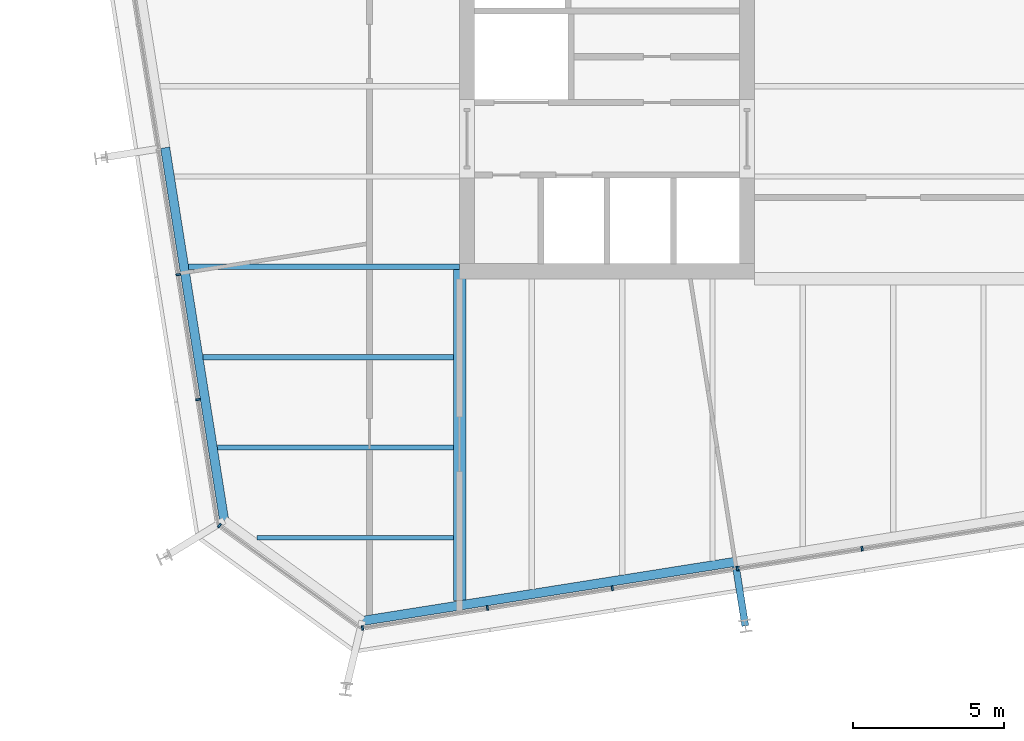
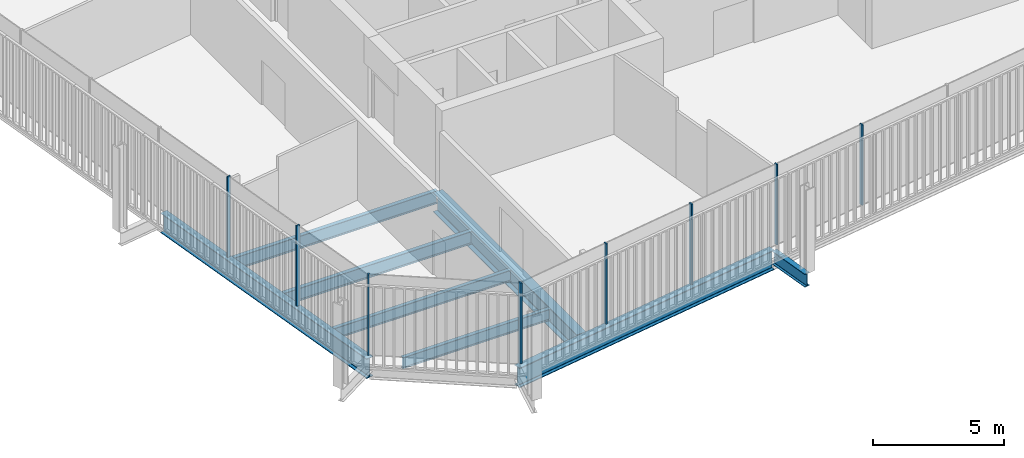
# One storey, part 2 of 20: 8 beams, 8 members, 3 elements without a shape of their own.
"""IFC4 building model written with IfcOpenShell, lengths in metres."""

from ifc_helpers import new_model, si_unit, direction, frame, origin, origin_2d, place, context, subcontext, project, spatial, rectangle, i_section, extrude, material, layer, layer_set, material_profile, profile_set, type_object, element, aggregate, save


model = new_model("IFC4")

# Units and contexts
model_context = context("Model", 3, precision=1e-05, world=origin(), true_north=direction((0.0, 1.0)))
body_context = subcontext(model_context, "Body", "Model", "MODEL_VIEW")
ifc_project = project(units=[si_unit("LENGTHUNIT", "METRE"), si_unit("AREAUNIT", "SQUARE_METRE"), si_unit("VOLUMEUNIT", "CUBIC_METRE"), si_unit("PLANEANGLEUNIT", "RADIAN"), si_unit("MASSUNIT", "GRAM", prefix="KILO")], contexts=[model_context])

# Site, building, storey
site_placement = place(None, origin())
site = spatial("IfcSite", under=ifc_project, at=site_placement, CompositionType="ELEMENT")
building_placement = place(site_placement, origin())
building = spatial("IfcBuilding", under=site, at=building_placement, Name="Millrace Tower", CompositionType="ELEMENT")
storey_placement = place(building_placement, frame((0.0, 0.0, 208.60009765625)))
storey = spatial("IfcBuildingStorey", under=building, at=storey_placement, Name="L47", CompositionType="ELEMENT", Elevation=208.60009765625)

# Curtain wall, member
ifc_material_1 = material(Name="Aluminium and glass", Category="aluminium")
ifc_layer = layer(ifc_material_1, 0.14990234375)
ifc_layer_set = layer_set([ifc_layer], Name="Aluminium and glass")
curtain_wall_type = type_object("IfcCurtainWallType", Name="CW-1 office vision curtain wall", PredefinedType="NOTDEFINED", material=ifc_layer_set)
placement = place(storey_placement, origin())
curtain_wall_1 = element("IfcCurtainWall", 1, at=placement, inside=storey, type_object=curtain_wall_type, Name="Curtain wall D-F01 L47", PredefinedType="NOTDEFINED")
ifc_material_2 = material(Name="Aluminium", Category="aluminium")
ifc_material_profile_1 = material_profile(ifc_material_2, rectangle(XDim=0.06494140625, YDim=0.14990234375, at=origin_2d()))
ifc_profile_set_1 = profile_set([ifc_material_profile_1], Name="Aluminium")
member_type = type_object("IfcMemberType", Name="CW-1 office vision curtain wall mullion", PredefinedType="MULLION", material=ifc_profile_set_1)
member_1_placement = place(storey_placement, frame((-22.3779296875, -17.594970703125, 0.139892578125), z_axis=(0.0, 0.0, 1.0), x_axis=(0.809016955361, -0.587785305991, 0.0)))
member_1 = element("IfcMember", 2, at=member_1_placement, type_object=member_type, Name="CW1 mullion D-F01.1", PredefinedType="MULLION", context=body_context, shape_type="SweptSolid", body=[
    extrude(rectangle(XDim=0.06494140625, YDim=0.14990234375, at=origin_2d()), origin(), (0.0, 0.0, 1.0), 3.760009765625),
])
aggregate(curtain_wall_1, [member_1])

# Curtain wall, members
curtain_wall_2 = element("IfcCurtainWall", 3, at=placement, inside=storey, type_object=curtain_wall_type, Name="Curtain wall D-F02 L47", PredefinedType="NOTDEFINED")
member_2_placement = place(storey_placement, frame((-17.62548828125, -20.992431640625, 0.139892578125), z_axis=(0.0, 0.0, 1.0), x_axis=(0.987688339511, 0.156434471884, 0.0)))
member_2 = element("IfcMember", 4, at=member_2_placement, type_object=member_type, Name="CW1 mullion D-F02.1", PredefinedType="MULLION", context=body_context, shape_type="SweptSolid", body=[
    extrude(rectangle(XDim=0.06494140625, YDim=0.14990234375, at=origin_2d()), origin(), (0.0, 0.0, 1.0), 3.760009765625),
])
member_3_placement = place(storey_placement, frame((-13.477294921875, -20.33544921875, 0.139892578125), z_axis=(0.0, 0.0, 1.0), x_axis=(0.987688339511, 0.156434471884, 0.0)))
member_3 = element("IfcMember", 5, at=member_3_placement, type_object=member_type, Name="CW1 mullion D-F02.2", PredefinedType="MULLION", context=body_context, shape_type="SweptSolid", body=[
    extrude(rectangle(XDim=0.06494140625, YDim=0.14990234375, at=origin_2d()), origin(), (0.0, 0.0, 1.0), 3.760009765625),
])
member_4_placement = place(storey_placement, frame((-9.328857421875, -19.678466796875, 0.139892578125), z_axis=(0.0, 0.0, 1.0), x_axis=(0.987688339511, 0.156434471884, 0.0)))
member_4 = element("IfcMember", 6, at=member_4_placement, type_object=member_type, Name="CW1 mullion D-F02.3", PredefinedType="MULLION", context=body_context, shape_type="SweptSolid", body=[
    extrude(rectangle(XDim=0.06494140625, YDim=0.14990234375, at=origin_2d()), origin(), (0.0, 0.0, 1.0), 3.760009765625),
])
member_5_placement = place(storey_placement, frame((-5.1806640625, -19.021240234375, 0.139892578125), z_axis=(0.0, 0.0, 1.0), x_axis=(0.987688339511, 0.156434471884, 0.0)))
member_5 = element("IfcMember", 7, at=member_5_placement, type_object=member_type, Name="CW1 mullion D-F02.4", PredefinedType="MULLION", context=body_context, shape_type="SweptSolid", body=[
    extrude(rectangle(XDim=0.06494140625, YDim=0.14990234375, at=origin_2d()), origin(), (0.0, 0.0, 1.0), 3.760009765625),
])
member_6_placement = place(storey_placement, frame((-1.0322265625, -18.3642578125, 0.139892578125), z_axis=(0.0, 0.0, 1.0), x_axis=(0.987688339511, 0.156434471884, 0.0)))
member_6 = element("IfcMember", 8, at=member_6_placement, type_object=member_type, Name="CW1 mullion D-F02.5", PredefinedType="MULLION", context=body_context, shape_type="SweptSolid", body=[
    extrude(rectangle(XDim=0.06494140625, YDim=0.14990234375, at=origin_2d()), origin(), (0.0, 0.0, 1.0), 3.760009765625),
])
aggregate(curtain_wall_2, [member_2, member_3, member_4, member_5, member_6])

curtain_wall_3 = element("IfcCurtainWall", 9, at=placement, inside=storey, type_object=curtain_wall_type, Name="Curtain wall D-F08 L47", PredefinedType="NOTDEFINED")
member_7_placement = place(storey_placement, frame((-23.7431640625, -9.262451171875, 0.139892578125), z_axis=(0.0, 0.0, 1.0), x_axis=(0.156434471884, -0.987688339511, 0.0)))
member_7 = element("IfcMember", 10, at=member_7_placement, type_object=member_type, Name="CW1 mullion D-F08.8", PredefinedType="MULLION", context=body_context, shape_type="SweptSolid", body=[
    extrude(rectangle(XDim=0.06494140625, YDim=0.14990234375, at=origin_2d()), origin(), (0.0, 0.0, 1.0), 3.760009765625),
])
member_8_placement = place(storey_placement, frame((-23.086181640625, -13.410888671875, 0.139892578125), z_axis=(0.0, 0.0, 1.0), x_axis=(0.156434471884, -0.987688339511, 0.0)))
member_8 = element("IfcMember", 11, at=member_8_placement, type_object=member_type, Name="CW1 mullion D-F08.9", PredefinedType="MULLION", context=body_context, shape_type="SweptSolid", body=[
    extrude(rectangle(XDim=0.06494140625, YDim=0.14990234375, at=origin_2d()), origin(), (0.0, 0.0, 1.0), 3.760009765625),
])
aggregate(curtain_wall_3, [member_7, member_8])

# Beams
ifc_material_3 = material(Name="Steel ASTM A992 Grade 50", Category="steel")
ifc_material_profile_2 = material_profile(ifc_material_3, i_section(OverallWidth=0.1650390625, OverallDepth=0.52587890625, WebThickness=0.0087890625, FlangeThickness=0.011474609375, FilletRadius=0.0126953125, at=origin_2d()))
ifc_profile_set_2 = profile_set([ifc_material_profile_2], Name="Steel ASTM A992 Grade 50")
beam_type_1 = type_object("IfcBeamType", Name="Floor beam W21x44", PredefinedType="JOIST", material=ifc_profile_set_2)
beam_1_placement = place(storey_placement, frame((-22.447509765625, -15.0, -0.423095703125), z_axis=(1.0, 0.0, 0.0), x_axis=(0.0, 1.0, 0.0)))
element("IfcBeam", 12, at=beam_1_placement, inside=storey, type_object=beam_type_1, Name="BM-D-L47-S1-S002", PredefinedType="JOIST", context=body_context, shape_type="SweptSolid", body=[
    extrude(i_section(OverallWidth=0.1650390625, OverallDepth=0.52587890625, WebThickness=0.0087890625, FlangeThickness=0.011474609375, FilletRadius=0.0126953125, at=origin_2d()), origin(), (0.0, 0.0, 1.0), 7.837890625),
])
beam_2_placement = place(storey_placement, frame((-21.13427734375, -18.0, -0.423095703125), z_axis=(1.0, 0.0, 0.0), x_axis=(0.0, 1.0, 0.0)))
element("IfcBeam", 13, at=beam_2_placement, inside=storey, type_object=beam_type_1, Name="BM-D-L47-S1-S001", PredefinedType="JOIST", context=body_context, shape_type="SweptSolid", body=[
    extrude(i_section(OverallWidth=0.1650390625, OverallDepth=0.52587890625, WebThickness=0.0087890625, FlangeThickness=0.011474609375, FilletRadius=0.0126953125, at=origin_2d()), origin(), (0.0, 0.0, 1.0), 6.524658203125),
])
ifc_material_4 = material(Name="Steel ASTM A992 Grade 50", Category="steel")
ifc_material_profile_3 = material_profile(ifc_material_4, i_section(OverallWidth=0.177978515625, OverallDepth=0.599365234375, WebThickness=0.010009765625, FlangeThickness=0.012939453125, FilletRadius=0.012939453125, at=origin_2d()))
ifc_profile_set_3 = profile_set([ifc_material_profile_3], Name="Steel ASTM A992 Grade 50")
beam_type_2 = type_object("IfcBeamType", Name="Floor beam W24x55", PredefinedType="JOIST", material=ifc_profile_set_3)
beam_3_placement = place(storey_placement, frame((-22.922607421875, -12.0, -0.459716796875), z_axis=(1.0, 0.0, 0.0), x_axis=(0.0, 1.0, 0.0)))
element("IfcBeam", 14, at=beam_3_placement, inside=storey, type_object=beam_type_2, Name="BM-D-L47-S1-S004", PredefinedType="JOIST", context=body_context, shape_type="SweptSolid", body=[
    extrude(i_section(OverallWidth=0.177978515625, OverallDepth=0.599365234375, WebThickness=0.010009765625, FlangeThickness=0.012939453125, FilletRadius=0.012939453125, at=origin_2d()), origin(), (0.0, 0.0, 1.0), 8.31298828125),
])
beam_4_placement = place(storey_placement, frame((-23.397705078125, -9.0, -0.459716796875), z_axis=(1.0, 0.0, 0.0), x_axis=(0.0, 1.0, 0.0)))
element("IfcBeam", 15, at=beam_4_placement, inside=storey, type_object=beam_type_2, Name="BM-D-L47-S1-S006", PredefinedType="JOIST", context=body_context, shape_type="SweptSolid", body=[
    extrude(i_section(OverallWidth=0.177978515625, OverallDepth=0.599365234375, WebThickness=0.010009765625, FlangeThickness=0.012939453125, FilletRadius=0.012939453125, at=origin_2d()), origin(), (0.0, 0.0, 1.0), 8.997802734375),
])
ifc_material_5 = material(Name="Steel ASTM A992 Grade 50", Category="steel")
ifc_material_profile_4 = material_profile(ifc_material_5, i_section(OverallWidth=0.419189453125, OverallDepth=0.927001953125, WebThickness=0.019287109375, FlangeThickness=0.031982421875, FilletRadius=0.024169921875, at=origin_2d()))
ifc_profile_set_4 = profile_set([ifc_material_profile_4], Name="Steel ASTM A992 Grade 50")
beam_type_3 = type_object("IfcBeamType", Name="Girder short span W36x231", PredefinedType="BEAM", material=ifc_profile_set_4)
beam_5_placement = place(storey_placement, frame((-14.39990234375, -20.08642578125, -0.62353515625), z_axis=(0.0, 1.0, 0.0), x_axis=(-1.0, 0.0, 0.0)))
element("IfcBeam", 16, at=beam_5_placement, inside=storey, type_object=beam_type_3, Name="BM-D-L47-S1-G055", PredefinedType="BEAM", context=body_context, shape_type="SweptSolid", body=[
    extrude(i_section(OverallWidth=0.419189453125, OverallDepth=0.927001953125, WebThickness=0.019287109375, FlangeThickness=0.031982421875, FilletRadius=0.024169921875, at=origin_2d()), origin(), (0.0, 0.0, 1.0), 10.994384765625),
])
ifc_material_6 = material(Name="Steel ASTM A992 Grade 50", Category="steel")
ifc_material_profile_5 = material_profile(ifc_material_6, i_section(OverallWidth=0.23046875, OverallDepth=0.6171875, WebThickness=0.01318359375, FlangeThickness=0.022216796875, FilletRadius=0.012939453125, at=origin_2d()))
ifc_profile_set_5 = profile_set([ifc_material_profile_5], Name="Steel ASTM A992 Grade 50")
beam_type_4 = type_object("IfcBeamType", Name="Link beam W24x94", PredefinedType="BEAM", material=ifc_profile_set_5)
beam_6_placement = place(storey_placement, frame((-5.224365234375, -18.952392578125, -0.46875), z_axis=(0.15637629034, -0.987697552806, 0.0), x_axis=(0.987697552806, 0.15637629034, 0.0)))
element("IfcBeam", 17, at=beam_6_placement, inside=storey, type_object=beam_type_4, Name="LNK-D-L47-S1-15", PredefinedType="BEAM", context=body_context, shape_type="SweptSolid", body=[
    extrude(i_section(OverallWidth=0.23046875, OverallDepth=0.6171875, WebThickness=0.01318359375, FlangeThickness=0.022216796875, FilletRadius=0.012939453125, at=origin_2d()), origin(), (0.0, 0.0, 1.0), 2.0),
])
ifc_material_7 = material(Name="Steel ASTM A992 Grade 50", Category="steel")
ifc_material_profile_6 = material_profile(ifc_material_7, i_section(OverallWidth=0.307373046875, OverallDepth=0.927001953125, WebThickness=0.01953125, FlangeThickness=0.031982421875, FilletRadius=0.01904296875, at=origin_2d()))
ifc_profile_set_6 = profile_set([ifc_material_profile_6], Name="Steel ASTM A992 Grade 50")
beam_type_5 = type_object("IfcBeamType", Name="Ring beam medium span W36x194", PredefinedType="SPANDREL", material=ifc_profile_set_6)
beam_7_placement = place(storey_placement, frame((-22.218505859375, -17.428466796875, -0.62353515625), z_axis=(-0.156419577072, 0.987690698503, 0.0), x_axis=(-0.987690698503, -0.156419577072, 0.0)))
element("IfcBeam", 18, at=beam_7_placement, inside=storey, type_object=beam_type_5, Name="RNG-D-L47-S1-01", PredefinedType="SPANDREL", context=body_context, shape_type="SweptSolid", body=[
    extrude(i_section(OverallWidth=0.307373046875, OverallDepth=0.927001953125, WebThickness=0.01953125, FlangeThickness=0.031982421875, FilletRadius=0.01904296875, at=origin_2d()), origin(), (0.0, 0.0, 1.0), 12.536376953125),
])
beam_8_placement = place(storey_placement, frame((-5.24853515625, -18.800537109375, -0.62353515625), z_axis=(-0.987687213011, -0.156441584157, 0.0), x_axis=(0.156441584157, -0.987687213011, 0.0)))
element("IfcBeam", 19, at=beam_8_placement, inside=storey, type_object=beam_type_5, Name="RNG-D-L47-S1-15", PredefinedType="SPANDREL", context=body_context, shape_type="SweptSolid", body=[
    extrude(i_section(OverallWidth=0.307373046875, OverallDepth=0.927001953125, WebThickness=0.01953125, FlangeThickness=0.031982421875, FilletRadius=0.01904296875, at=origin_2d()), origin(), (0.0, 0.0, 1.0), 12.5361328125),
])

save(model, "model.ifc")
